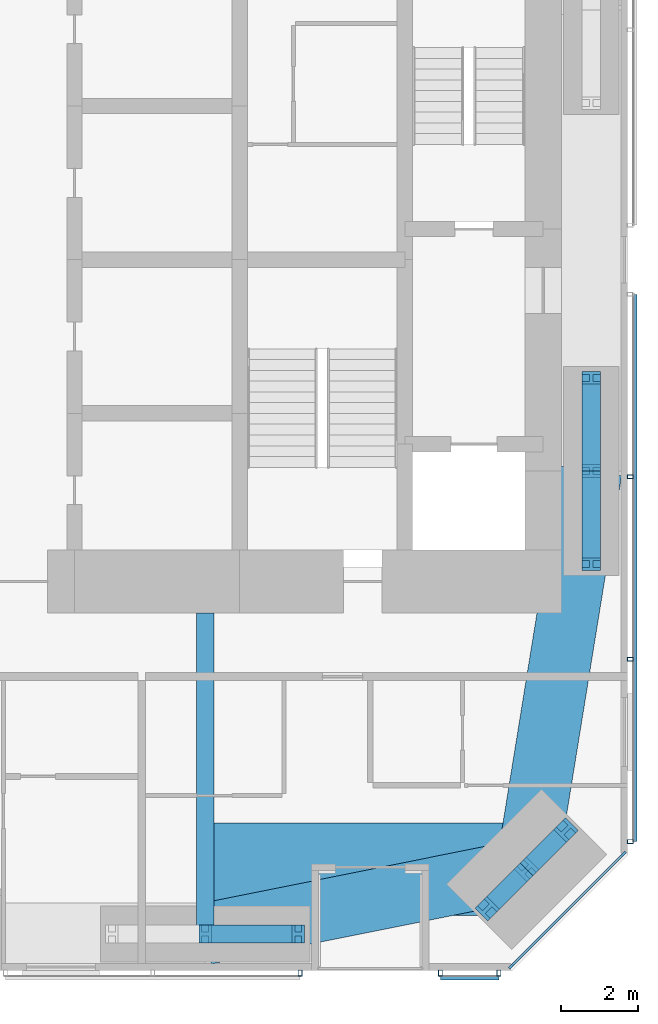
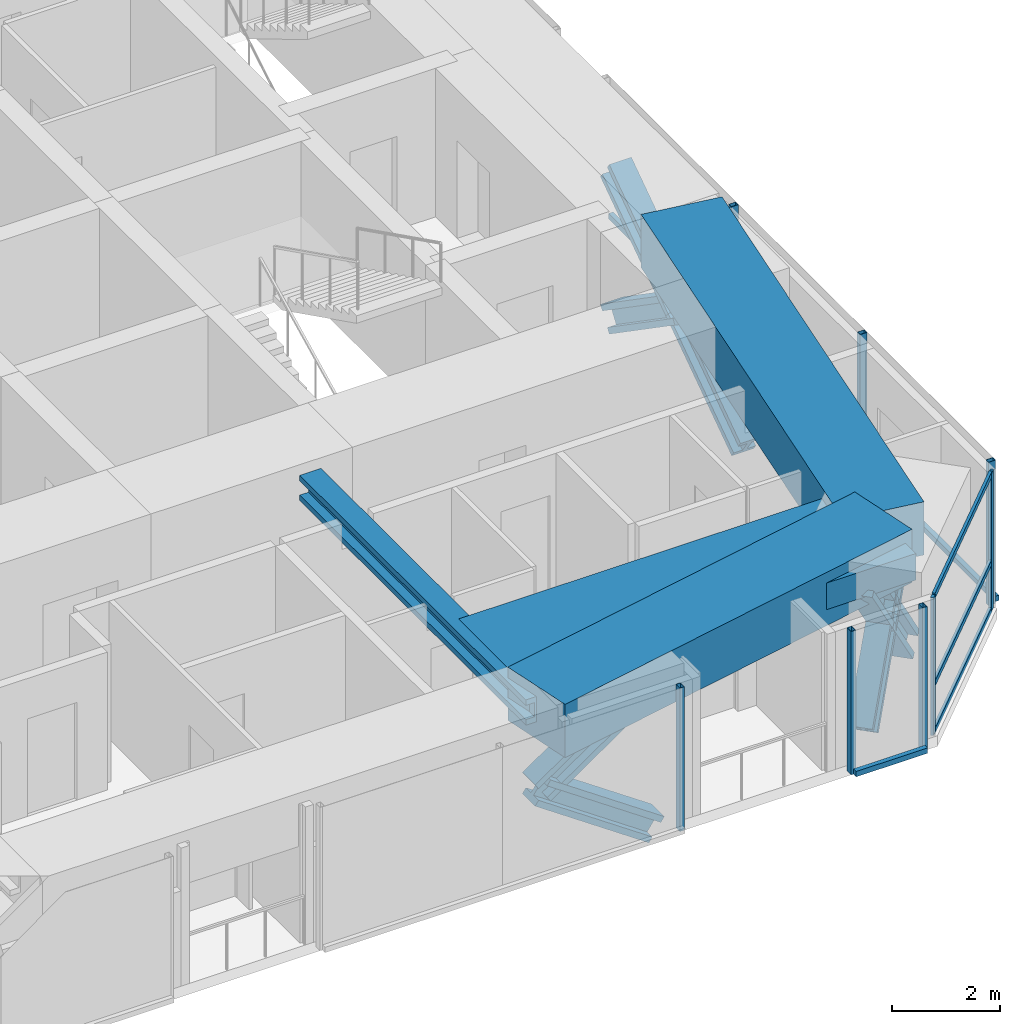
# One storey, part 8 of 23: 23 members, 4 beams, 4 elements without a shape of their own.
"""IFC4 building model written with IfcOpenShell, lengths in metres."""

from ifc_helpers import new_model, si_unit, direction, frame, origin, origin_2d, place, context, subcontext, project, spatial, rectangle, hollow_rectangle, i_section, extrude, material, material_profile, profile_set, type_object, element, aggregate, save


model = new_model("IFC4")

# Units and contexts
model_context = context("Model", 3, precision=1e-05, world=origin(), true_north=direction((0.0, 1.0)))
body_context = subcontext(model_context, "Body", "Model", "MODEL_VIEW")
ifc_project = project(units=[si_unit("LENGTHUNIT", "METRE"), si_unit("AREAUNIT", "SQUARE_METRE"), si_unit("VOLUMEUNIT", "CUBIC_METRE"), si_unit("PLANEANGLEUNIT", "RADIAN"), si_unit("MASSUNIT", "GRAM", prefix="KILO")], contexts=[model_context])

# Site, building, storey
site_placement = place(None, origin())
site = spatial("IfcSite", under=ifc_project, at=site_placement, CompositionType="ELEMENT")
building_placement = place(site_placement, origin())
building = spatial("IfcBuilding", under=site, at=building_placement, Name="Jalousie Tower", CompositionType="ELEMENT")
storey_placement = place(building_placement, frame((0.0, 0.0, 31.050048828125)))
storey = spatial("IfcBuildingStorey", under=building, at=storey_placement, Name="L07", CompositionType="ELEMENT", Elevation=31.050048828125)

# Curtain wall, members
ifc_material_1 = material(Name="Aluminium curtain wall", Category="aluminium")
curtain_wall_type_1 = type_object("IfcCurtainWallType", Name="CORNER WINDOW WALL", PredefinedType="USERDEFINED", material=ifc_material_1)
curtain_wall_1_placement = place(storey_placement, origin())
curtain_wall_1 = element("IfcCurtainWall", 1, at=curtain_wall_1_placement, inside=storey, type_object=curtain_wall_type_1, Name="Corner Window Wall L07 2", ObjectType="CORNER WINDOW WALL", PredefinedType="USERDEFINED")
ifc_material_2 = material(Name="Aluminium mullion", Category="aluminium")
ifc_material_profile_1 = material_profile(ifc_material_2, rectangle(XDim=0.06005859375, YDim=0.14990234375, at=origin_2d()), Name="MULLION 60x150")
ifc_profile_set_1 = profile_set([ifc_material_profile_1], Name="Aluminium mullion")
member_type_1 = type_object("IfcMemberType", Name="CORNER WINDOW WALL MULLION", PredefinedType="MULLION", material=ifc_profile_set_1)
member_1_placement = place(storey_placement, frame((42.969970703125, 0.108642578125, 0.0), z_axis=(0.0, 0.0, 1.0), x_axis=(-0.707106781187, 0.707106781187, 0.0)))
member_1 = element("IfcMember", 2, at=member_1_placement, type_object=member_type_1, Name="CW-C mullion 1", PredefinedType="MULLION", context=body_context, shape_type="SweptSolid", body=[
    extrude(rectangle(XDim=0.06005859375, YDim=0.14990234375, at=origin_2d()), origin(), (0.0, 0.0, 1.0), 3.10986328125),
])
member_2_placement = place(storey_placement, frame((45.891357421875, 3.030029296875, 0.0), z_axis=(0.0, 0.0, 1.0), x_axis=(-0.707106781187, 0.707106781187, 0.0)))
member_2 = element("IfcMember", 3, at=member_2_placement, type_object=member_type_1, Name="CW-C mullion 2", PredefinedType="MULLION", context=body_context, shape_type="SweptSolid", body=[
    extrude(rectangle(XDim=0.06005859375, YDim=0.14990234375, at=origin_2d()), origin(), (0.0, 0.0, 1.0), 3.10986328125),
])
ifc_material_3 = material(Name="Aluminium transom", Category="aluminium")
ifc_material_profile_2 = material_profile(ifc_material_3, rectangle(XDim=0.06005859375, YDim=0.1201171875, at=origin_2d()), Name="TRANSOM 60x120")
ifc_profile_set_2 = profile_set([ifc_material_profile_2], Name="Aluminium transom")
member_type_2 = type_object("IfcMemberType", Name="CORNER WINDOW WALL TRANSOM", PredefinedType="USERDEFINED", material=ifc_profile_set_2)
member_3_placement = place(storey_placement, frame((42.9912109375, 0.1298828125, 0.030029296875), z_axis=(0.707106781187, 0.707106781187, 0.0), x_axis=(-0.707106781187, 0.707106781187, 0.0)))
member_3 = element("IfcMember", 4, at=member_3_placement, type_object=member_type_2, Name="CW-C transom 1.1", ObjectType="TRANSOM", PredefinedType="USERDEFINED", context=body_context, shape_type="SweptSolid", body=[
    extrude(rectangle(XDim=0.06005859375, YDim=0.1201171875, at=origin_2d()), origin(), (0.0, 0.0, 1.0), 4.0712890625),
])
member_4_placement = place(storey_placement, frame((42.9912109375, 0.1298828125, 1.099853515625), z_axis=(0.707106781187, 0.707106781187, 0.0), x_axis=(-0.707106781187, 0.707106781187, 0.0)))
member_4 = element("IfcMember", 5, at=member_4_placement, type_object=member_type_2, Name="CW-C transom 1.2", ObjectType="TRANSOM", PredefinedType="USERDEFINED", context=body_context, shape_type="SweptSolid", body=[
    extrude(rectangle(XDim=0.06005859375, YDim=0.1201171875, at=origin_2d()), origin(), (0.0, 0.0, 1.0), 4.0712890625),
])
member_5_placement = place(storey_placement, frame((42.9912109375, 0.1298828125, 3.079833984375), z_axis=(0.707106781187, 0.707106781187, 0.0), x_axis=(-0.707106781187, 0.707106781187, 0.0)))
member_5 = element("IfcMember", 6, at=member_5_placement, type_object=member_type_2, Name="CW-C transom 1.3", ObjectType="TRANSOM", PredefinedType="USERDEFINED", context=body_context, shape_type="SweptSolid", body=[
    extrude(rectangle(XDim=0.06005859375, YDim=0.1201171875, at=origin_2d()), origin(), (0.0, 0.0, 1.0), 4.0712890625),
])
aggregate(curtain_wall_1, [member_1, member_2, member_3, member_4, member_5])

# Beam
ifc_material_4 = material(Name="Steel ASTM A992 Grade 50", Category="steel")
ifc_material_profile_3 = material_profile(ifc_material_4, i_section(OverallWidth=0.45458984375, OverallDepth=0.569091796875, WebThickness=0.077880859375, FlangeThickness=0.124755859375, at=origin_2d()), Name="W14X730")
ifc_profile_set_3 = profile_set([ifc_material_profile_3], Name="Steel ASTM A992 Grade 50")
beam_type_1 = type_object("IfcBeamType", Name="LEAN COLLECTOR W14X730", PredefinedType="BEAM", material=ifc_profile_set_3)
beam_1_placement = place(storey_placement, frame((35.0, 0.949951171875, 2.825439453125), z_axis=(0.0, 1.0, 0.0), x_axis=(-1.0, 0.0, 0.0)))
element("IfcBeam", 7, at=beam_1_placement, inside=storey, type_object=beam_type_1, Name="Lean collector under L08", PredefinedType="BEAM", context=body_context, shape_type="SweptSolid", body=[
    extrude(i_section(OverallWidth=0.45458984375, OverallDepth=0.569091796875, WebThickness=0.077880859375, FlangeThickness=0.124755859375, at=origin_2d()), origin(), (0.0, 0.0, 1.0), 8.35009765625),
])

# Members
ifc_material_5 = material(Name="Steel ASTM A992 Grade 50", Category="steel")
ifc_material_profile_4 = material_profile(ifc_material_5, i_section(OverallWidth=0.472412109375, OverallDepth=0.5791015625, WebThickness=0.094970703125, FlangeThickness=0.1298828125, at=origin_2d()), Name="W14X808")
ifc_profile_set_4 = profile_set([ifc_material_profile_4], Name="Steel ASTM A992 Grade 50")
member_type_3 = type_object("IfcMemberType", Name="PERIMETER BRACE W14X808", PredefinedType="BRACE", material=ifc_profile_set_4)
for number, where, z_axis, x_axis, name in (
    (8, (35.0, 0.949951171875, 1.074951171875), (0.822800062329, 0.0, 0.568330940062), (0.0, 1.0, 0.0), "Perimeter brace 04 L07 part 2"),
    (9, (37.425048828125, 0.949951171875, -0.60009765625), (-0.822800062329, 0.0, 0.568330940062), (0.0, -1.0, 0.0), "Perimeter brace 04 L07 part 3"),
):
    element("IfcMember", number, at=place(storey_placement, frame(where, z_axis=z_axis, x_axis=x_axis)), inside=storey, type_object=member_type_3, Name=name, PredefinedType="BRACE", context=body_context, shape_type="SweptSolid", body=[
        extrude(i_section(OverallWidth=0.472412109375, OverallDepth=0.5791015625, WebThickness=0.094970703125, FlangeThickness=0.1298828125, at=origin_2d()), origin(), (0.0, 0.0, 1.0), 2.947265625),
    ])
for number, where, z_axis, x_axis, name in (
    (10, (42.34326171875, 1.606201171875, -0.60009765625), (0.462839993852, 0.462729793854, 0.756082189957), (-0.707022586774, 0.707190965575, 0.0), "Perimeter brace 05 L07 part 1"),
    (11, (43.36865234375, 2.63134765625, 1.074951171875), (0.462729793854, 0.462839993852, 0.756082189957), (-0.707190965575, 0.707022586774, 0.0), "Perimeter brace 05 L07 part 2"),
    (12, (44.393798828125, 3.65673828125, -0.60009765625), (-0.462729793854, -0.462839993852, 0.756082189957), (0.707190965575, -0.707022586774, 0.0), "Perimeter brace 05 L07 part 3"),
    (13, (43.36865234375, 2.63134765625, 1.074951171875), (-0.462839993852, -0.462729793854, 0.756082189957), (0.707022586774, -0.707190965575, 0.0), "Perimeter brace 05 L07 part 4"),
):
    element("IfcMember", number, at=place(storey_placement, frame(where, z_axis=z_axis, x_axis=x_axis)), inside=storey, type_object=member_type_3, Name=name, PredefinedType="BRACE", context=body_context, shape_type="SweptSolid", body=[
        extrude(i_section(OverallWidth=0.472412109375, OverallDepth=0.5791015625, WebThickness=0.094970703125, FlangeThickness=0.1298828125, at=origin_2d()), origin(), (0.0, 0.0, 1.0), 2.21533203125),
    ])
for number, where, z_axis, x_axis, name in (
    (14, (45.050048828125, 10.574951171875, -0.60009765625), (0.0, 0.822800062329, 0.568330940062), (-1.0, 0.0, 0.0), "Perimeter brace 06 L07 part 1"),
    (15, (45.050048828125, 13.0, 1.074951171875), (0.0, 0.822800062329, 0.568330940062), (-1.0, 0.0, 0.0), "Perimeter brace 06 L07 part 2"),
    (16, (45.050048828125, 15.425048828125, -0.60009765625), (0.0, -0.822800062329, 0.568330940062), (1.0, 0.0, 0.0), "Perimeter brace 06 L07 part 3"),
    (17, (45.050048828125, 13.0, 1.074951171875), (0.0, -0.822800062329, 0.568330940062), (1.0, 0.0, 0.0), "Perimeter brace 06 L07 part 4"),
):
    element("IfcMember", number, at=place(storey_placement, frame(where, z_axis=z_axis, x_axis=x_axis)), inside=storey, type_object=member_type_3, Name=name, PredefinedType="BRACE", context=body_context, shape_type="SweptSolid", body=[
        extrude(i_section(OverallWidth=0.472412109375, OverallDepth=0.5791015625, WebThickness=0.094970703125, FlangeThickness=0.1298828125, at=origin_2d()), origin(), (0.0, 0.0, 1.0), 2.947265625),
    ])

# Beams
ifc_material_6 = material(Name="Concrete f'c 40 MPa", Category="concrete")
ifc_material_profile_5 = material_profile(ifc_material_6, rectangle(XDim=1.60009765625, YDim=1.199951171875, at=origin_2d()), Name="RC 1600x1200")
ifc_profile_set_5 = profile_set([ifc_material_profile_5], Name="Concrete f'c 40 MPa")
beam_type_2 = type_object("IfcBeamType", Name="RC BEAM 1600x1200", PredefinedType="BEAM", material=ifc_profile_set_5)
beam_2_placement = place(storey_placement, frame((35.0, 0.949951171875, 2.75), z_axis=(0.980407585444, 0.196979609107, 0.0), x_axis=(-0.196979609107, 0.980407585444, 0.0)))
element("IfcBeam", 18, at=beam_2_placement, inside=storey, type_object=beam_type_2, Name="Edge band beam 04-05 under L08", PredefinedType="BEAM", context=body_context, shape_type="SweptSolid", body=[
    extrude(rectangle(XDim=1.60009765625, YDim=1.199951171875, at=origin_2d()), origin(), (0.0, 0.0, 1.0), 8.535888671875),
])
beam_3_placement = place(storey_placement, frame((43.36865234375, 2.63134765625, 2.75), z_axis=(0.160070546476, 0.987105577003, 0.0), x_axis=(-0.987105577003, 0.160070546476, 0.0)))
element("IfcBeam", 19, at=beam_3_placement, inside=storey, type_object=beam_type_2, Name="Edge band beam 05-06 under L08", PredefinedType="BEAM", context=body_context, shape_type="SweptSolid", body=[
    extrude(rectangle(XDim=1.60009765625, YDim=1.199951171875, at=origin_2d()), origin(), (0.0, 0.0, 1.0), 10.504150390625),
])
ifc_material_7 = material(Name="Concrete f'c 40 MPa", Category="concrete")
ifc_material_profile_6 = material_profile(ifc_material_7, rectangle(XDim=2.39990234375, YDim=0.60009765625, at=origin_2d()), Name="RC 2400x600")
ifc_profile_set_6 = profile_set([ifc_material_profile_6], Name="Concrete f'c 40 MPa")
beam_type_3 = type_object("IfcBeamType", Name="RC BEAM 2400x600", PredefinedType="BEAM", material=ifc_profile_set_6)
beam_4_placement = place(storey_placement, frame((43.36865234375, 2.63134765625, 2.81005859375), z_axis=(-1.0, 0.0, 0.0), x_axis=(0.0, -1.0, 0.0)))
element("IfcBeam", 20, at=beam_4_placement, inside=storey, type_object=beam_type_3, Name="Floor band beam under L08", PredefinedType="BEAM", context=body_context, shape_type="SweptSolid", body=[
    extrude(rectangle(XDim=2.39990234375, YDim=0.60009765625, at=origin_2d()), origin(), (0.0, 0.0, 1.0), 8.36865234375),
])

# Curtain wall, member
ifc_material_8 = material(Name="Perforated aluminium sheet", Category="aluminium")
curtain_wall_type_2 = type_object("IfcCurtainWallType", Name="SOLAR SCREEN SS-1", PredefinedType="USERDEFINED", material=ifc_material_8)
curtain_wall_2_placement = place(storey_placement, origin())
curtain_wall_2 = element("IfcCurtainWall", 21, at=curtain_wall_2_placement, inside=storey, type_object=curtain_wall_type_2, Name="Solar screen L07", ObjectType="SOLAR SCREEN SS-1", PredefinedType="USERDEFINED")
ifc_material_9 = material(Name="Steel ASTM A500 Grade C", Category="steel")
ifc_material_profile_7 = material_profile(ifc_material_9, hollow_rectangle(XDim=0.1015625, YDim=0.15234375, WallThickness=0.00634765625, at=origin_2d()), Name="HSS6X4X1/4")
ifc_profile_set_7 = profile_set([ifc_material_profile_7], Name="Steel ASTM A500 Grade C")
member_type_4 = type_object("IfcMemberType", Name="SOLAR SCREEN SS-1 MULLION", PredefinedType="MULLION", material=ifc_profile_set_7)
member_6_placement = place(storey_placement, frame((37.47509765625, -0.0712890625, -0.1201171875), z_axis=(0.0, 0.0, 1.0), x_axis=(1.0, 0.0, 0.0)))
member_6 = element("IfcMember", 22, at=member_6_placement, type_object=member_type_4, Name="SS1 post 3", PredefinedType="MULLION", context=body_context, shape_type="SweptSolid", body=[
    extrude(hollow_rectangle(XDim=0.1015625, YDim=0.15234375, WallThickness=0.00634765625, at=origin_2d()), origin(), (0.0, 0.0, 1.0), 3.22998046875),
])
aggregate(curtain_wall_2, [member_6])

# Curtain wall, members
curtain_wall_3_placement = place(storey_placement, origin())
curtain_wall_3 = element("IfcCurtainWall", 23, at=curtain_wall_3_placement, inside=storey, type_object=curtain_wall_type_2, Name="Solar screen L07", ObjectType="SOLAR SCREEN SS-1", PredefinedType="USERDEFINED")
member_7_placement = place(storey_placement, frame((41.125, -0.0712890625, -0.1201171875), z_axis=(0.0, 0.0, 1.0), x_axis=(1.0, 0.0, 0.0)))
member_7 = element("IfcMember", 24, at=member_7_placement, type_object=member_type_4, Name="SS1 post 1", PredefinedType="MULLION", context=body_context, shape_type="SweptSolid", body=[
    extrude(hollow_rectangle(XDim=0.1015625, YDim=0.15234375, WallThickness=0.00634765625, at=origin_2d()), origin(), (0.0, 0.0, 1.0), 3.22998046875),
])
member_8_placement = place(storey_placement, frame((42.648681640625, -0.0712890625, -0.1201171875), z_axis=(0.0, 0.0, 1.0), x_axis=(1.0, 0.0, 0.0)))
member_8 = element("IfcMember", 25, at=member_8_placement, type_object=member_type_4, Name="SS1 post 2", PredefinedType="MULLION", context=body_context, shape_type="SweptSolid", body=[
    extrude(hollow_rectangle(XDim=0.1015625, YDim=0.15234375, WallThickness=0.00634765625, at=origin_2d()), origin(), (0.0, 0.0, 1.0), 3.22998046875),
])

curtain_wall_4_placement = place(storey_placement, origin())
curtain_wall_4 = element("IfcCurtainWall", 26, at=curtain_wall_4_placement, inside=storey, type_object=curtain_wall_type_2, Name="Solar screen L07", ObjectType="SOLAR SCREEN SS-1", PredefinedType="USERDEFINED")
member_9_placement = place(storey_placement, frame((46.0712890625, 3.351318359375, -0.1201171875), z_axis=(0.0, 0.0, 1.0), x_axis=(0.0, 1.0, 0.0)))
member_9 = element("IfcMember", 27, at=member_9_placement, type_object=member_type_4, Name="SS1 post 1", PredefinedType="MULLION", context=body_context, shape_type="SweptSolid", body=[
    extrude(hollow_rectangle(XDim=0.1015625, YDim=0.15234375, WallThickness=0.00634765625, at=origin_2d()), origin(), (0.0, 0.0, 1.0), 3.22998046875),
])
member_10_placement = place(storey_placement, frame((46.0712890625, 8.100830078125, -0.1201171875), z_axis=(0.0, 0.0, 1.0), x_axis=(0.0, 1.0, 0.0)))
member_10 = element("IfcMember", 28, at=member_10_placement, type_object=member_type_4, Name="SS1 post 2", PredefinedType="MULLION", context=body_context, shape_type="SweptSolid", body=[
    extrude(hollow_rectangle(XDim=0.1015625, YDim=0.15234375, WallThickness=0.00634765625, at=origin_2d()), origin(), (0.0, 0.0, 1.0), 3.22998046875),
])
member_11_placement = place(storey_placement, frame((46.0712890625, 12.850341796875, -0.1201171875), z_axis=(0.0, 0.0, 1.0), x_axis=(0.0, 1.0, 0.0)))
member_11 = element("IfcMember", 29, at=member_11_placement, type_object=member_type_4, Name="SS1 post 3", PredefinedType="MULLION", context=body_context, shape_type="SweptSolid", body=[
    extrude(hollow_rectangle(XDim=0.1015625, YDim=0.15234375, WallThickness=0.00634765625, at=origin_2d()), origin(), (0.0, 0.0, 1.0), 3.22998046875),
])

# Member
ifc_material_10 = material(Name="Extruded aluminium screen rail", Category="aluminium")
ifc_material_profile_8 = material_profile(ifc_material_10, rectangle(XDim=0.1015625, YDim=0.1201171875, at=origin_2d()), Name="RAIL 102x120")
ifc_profile_set_8 = profile_set([ifc_material_profile_8], Name="Extruded aluminium screen rail")
member_type_5 = type_object("IfcMemberType", Name="SOLAR SCREEN SS-1 TRANSOM", PredefinedType="USERDEFINED", material=ifc_profile_set_8)
member_12_placement = place(storey_placement, frame((41.125, -0.1982421875, -0.06005859375), z_axis=(1.0, 0.0, 0.0), x_axis=(0.0, 1.0, 0.0)))
member_12 = element("IfcMember", 30, at=member_12_placement, type_object=member_type_5, Name="SS1 rail", ObjectType="TRANSOM", PredefinedType="USERDEFINED", context=body_context, shape_type="SweptSolid", body=[
    extrude(rectangle(XDim=0.1015625, YDim=0.1201171875, at=origin_2d()), origin(), (0.0, 0.0, 1.0), 1.523681640625),
])

aggregate(curtain_wall_3, [member_7, member_8, member_12])

member_13_placement = place(storey_placement, frame((46.1982421875, 3.351318359375, -0.06005859375), z_axis=(0.0, 1.0, 0.0), x_axis=(-1.0, 0.0, 0.0)))
member_13 = element("IfcMember", 31, at=member_13_placement, type_object=member_type_5, Name="SS1 rail", ObjectType="TRANSOM", PredefinedType="USERDEFINED", context=body_context, shape_type="SweptSolid", body=[
    extrude(rectangle(XDim=0.1015625, YDim=0.1201171875, at=origin_2d()), origin(), (0.0, 0.0, 1.0), 14.248779296875),
])

aggregate(curtain_wall_4, [member_9, member_10, member_11, member_13])

save(model, "model.ifc")
